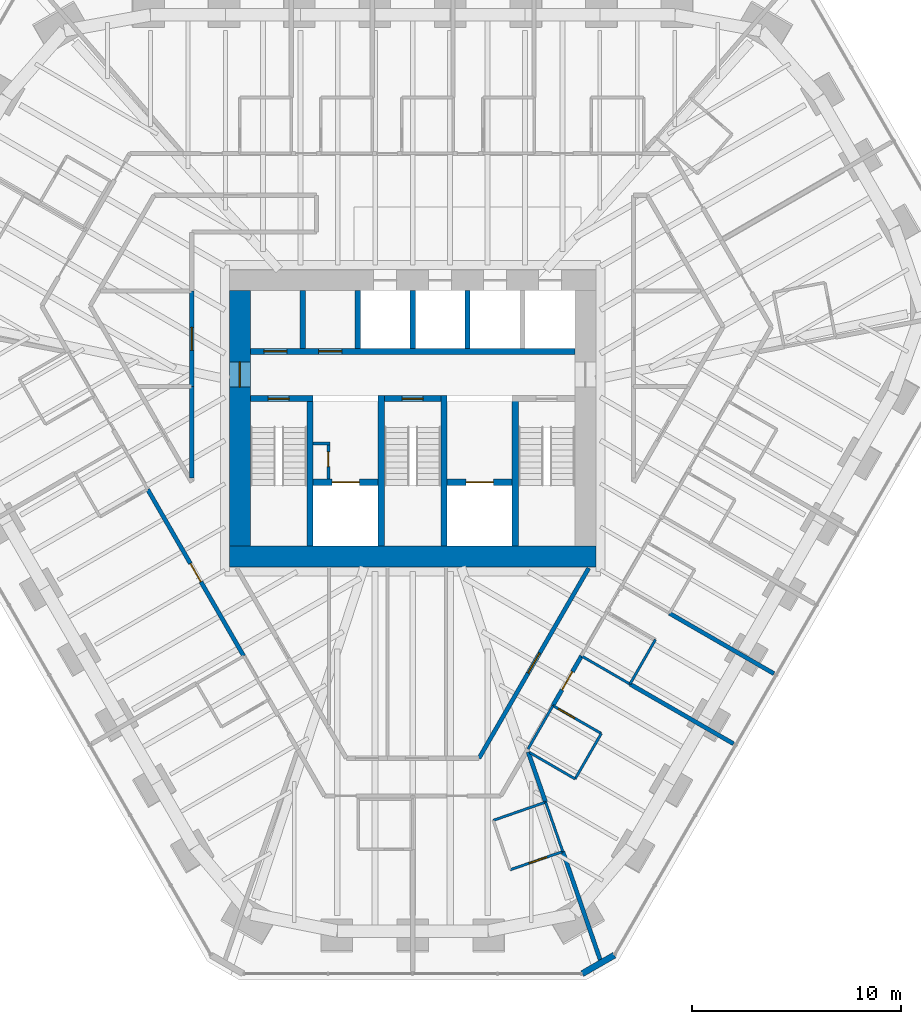
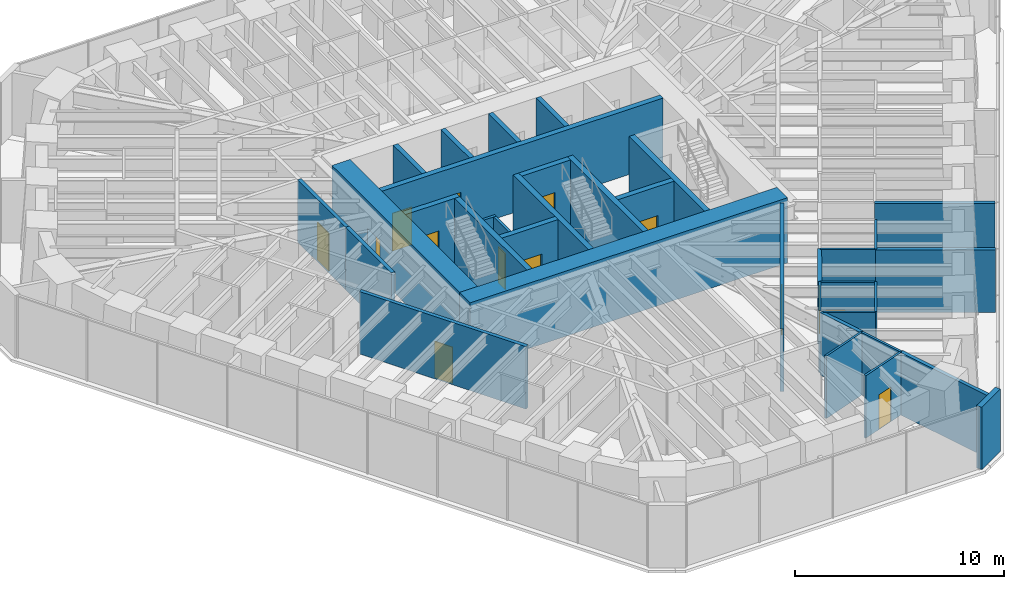
# One storey, part 12 of 17: 36 walls, 14 doors, 14 openings.
"""IFC4 building model written with IfcOpenShell, lengths in metres."""

from ifc_helpers import new_model, si_unit, direction, frame, frame_2d, origin, place, context, subcontext, project, spatial, rectangle, extrude, material, layer, layer_set, type_object, element, fill, save


model = new_model("IFC4")

# Units and contexts
model_context = context("Model", 3, precision=1e-05, world=origin(), true_north=direction((0.0, 1.0)))
body_context = subcontext(model_context, "Body", "Model", "MODEL_VIEW")
ifc_project = project(units=[si_unit("LENGTHUNIT", "METRE"), si_unit("AREAUNIT", "SQUARE_METRE"), si_unit("VOLUMEUNIT", "CUBIC_METRE"), si_unit("PLANEANGLEUNIT", "RADIAN"), si_unit("MASSUNIT", "GRAM", prefix="KILO")], contexts=[model_context])

# Site, building, storey
site_placement = place(None, origin())
site = spatial("IfcSite", under=ifc_project, at=site_placement, CompositionType="ELEMENT")
building_placement = place(site_placement, origin())
building = spatial("IfcBuilding", under=site, at=building_placement, Name="Sandreach Pilgrim Tower", CompositionType="ELEMENT")
storey_placement = place(building_placement, frame((0.0, 0.0, 240.199951171875)))
storey = spatial("IfcBuildingStorey", under=building, at=storey_placement, Name="L60", CompositionType="ELEMENT", Elevation=240.199951171875)

# Wall, opening, door
ifc_material_1 = material(Name="Moisture-resistant gypsum board on steel studs", Category="steel")
ifc_layer_1 = layer(ifc_material_1, 0.1201171875)
ifc_layer_set_1 = layer_set([ifc_layer_1], Name="Bathroom partition 120")
wall_type_1 = type_object("IfcWallType", Name="Bathroom partition 120", PredefinedType="PARTITIONING", material=ifc_layer_set_1)
wall_1_placement = place(storey_placement, frame((4.659912109375, -21.56005859375, 0.0), z_axis=(0.0, 0.0, 1.0), x_axis=(0.944838473769, 0.327536652126, 0.0)))
wall_1 = element("IfcWall", 1, at=wall_1_placement, inside=storey, type_object=wall_type_1, Name="Bathroom partition L60-087", PredefinedType="PARTITIONING", context=body_context, shape_type="SweptSolid", body=[
    extrude(rectangle(XDim=2.656494140625, YDim=0.1201171875, at=frame_2d((1.328125, 0.0))), origin(), (0.0, 0.0, 1.0), 3.64013671875),
])
opening_1_placement = place(wall_1_placement, frame((0.949951171875, 0.0, 0.0)))
opening_1 = element("IfcOpeningElement", 2, at=opening_1_placement, cuts=wall_1, Name="Opening D09-13B", PredefinedType="OPENING", context=body_context, shape_type="SweptSolid", body=[
    extrude(rectangle(XDim=0.89990234375, YDim=2.030029296875, at=frame_2d((0.449951171875, 1.01513671875))), frame((0.0, 0.06005859375, 0.0), z_axis=(0.0, -1.0, 0.0), x_axis=(1.0, 0.0, 0.0)), (0.0, 0.0, 1.0), 0.1201171875),
])
ifc_material_2 = material(Name="Timber door, steel frame", Category="steel")
door_type_1 = type_object("IfcDoorType", Name="Bathroom door", OperationType="SINGLE_SWING_LEFT", PredefinedType="DOOR", material=ifc_material_2)
door_1_placement = place(opening_1_placement, origin())
door_1 = element("IfcDoor", 3, at=door_1_placement, inside=storey, type_object=door_type_1, Name="Door 6013B", OperationType="SINGLE_SWING_RIGHT", OverallHeight=2.030029296875, OverallWidth=0.89990234375, PredefinedType="DOOR", context=body_context, shape_type="SweptSolid", body=[
    extrude(rectangle(XDim=0.89990234375, YDim=2.030029296875, at=frame_2d((0.449951171875, 1.01513671875))), frame((0.0, 0.02490234375, 0.0), z_axis=(0.0, -1.0, 0.0), x_axis=(1.0, 0.0, 0.0)), (0.0, 0.0, 1.0), 0.050048828125),
])
fill(opening_1, door_1)

# Walls
wall_2_placement = place(storey_placement, frame((5.510009765625, -15.7900390625, 0.0), z_axis=(0.0, 0.0, 1.0), x_axis=(0.49836161924, 0.866969259241, 0.0)))
element("IfcWall", 4, at=wall_2_placement, inside=storey, type_object=wall_type_1, Name="Bathroom partition L60-089", PredefinedType="PARTITIONING", context=body_context, shape_type="SweptSolid", body=[
    extrude(rectangle(XDim=2.3876953125, YDim=0.1201171875, at=frame_2d((1.19384765625, 0.0))), origin(), (0.0, 0.0, 1.0), 3.64013671875),
])
wall_3_placement = place(storey_placement, frame((5.593505859375, -15.962646484375, 0.0), z_axis=(0.0, 0.0, 1.0), x_axis=(0.864900876675, -0.501942699445, 0.0)))
element("IfcWall", 5, at=wall_3_placement, inside=storey, type_object=wall_type_1, Name="Bathroom partition L60-091", PredefinedType="PARTITIONING", context=body_context, shape_type="SweptSolid", body=[
    extrude(rectangle(XDim=2.5048828125, YDim=0.1201171875, at=frame_2d((1.25244140625, 0.0))), origin(), (0.0, 0.0, 1.0), 3.64013671875),
])
wall_4_placement = place(storey_placement, frame((6.35009765625, -18.330078125, 0.0), z_axis=(0.0, 0.0, 1.0), x_axis=(-0.944470666048, -0.328595740956, 0.0)))
element("IfcWall", 6, at=wall_4_placement, inside=storey, type_object=wall_type_1, Name="Bathroom partition L60-096", PredefinedType="PARTITIONING", context=body_context, shape_type="SweptSolid", body=[
    extrude(rectangle(XDim=2.647216796875, YDim=0.1201171875, at=frame_2d((1.32373046875, 0.0))), origin(), (0.0, 0.0, 1.0), 3.64013671875),
])
wall_5_placement = place(storey_placement, frame((6.35009765625, -18.330078125, 0.0), z_axis=(0.0, 0.0, 1.0), x_axis=(0.328164304993, -0.944620658745, 0.0)))
element("IfcWall", 7, at=wall_5_placement, inside=storey, type_object=wall_type_1, Name="Bathroom partition L60-097", PredefinedType="PARTITIONING", context=body_context, shape_type="SweptSolid", body=[
    extrude(rectangle(XDim=2.498291015625, YDim=0.1201171875, at=frame_2d((1.2490234375, 0.0))), origin(), (0.0, 0.0, 1.0), 3.64013671875),
])
wall_6_placement = place(storey_placement, frame((7.760009765625, -17.219970703125, 0.0), z_axis=(0.0, 0.0, 1.0), x_axis=(0.499159685399, 0.866510016372, 0.0)))
element("IfcWall", 8, at=wall_6_placement, inside=storey, type_object=wall_type_1, Name="Bathroom partition L60-099", PredefinedType="PARTITIONING", context=body_context, shape_type="SweptSolid", body=[
    extrude(rectangle(XDim=2.504150390625, YDim=0.1201171875, at=frame_2d((1.251953125, 0.0))), origin(), (0.0, 0.0, 1.0), 3.64013671875),
])
wall_7_placement = place(storey_placement, frame((8.070068359375, -11.35009765625, 0.0), z_axis=(0.0, 0.0, 1.0), x_axis=(0.865006586495, -0.501760505939, 0.0)))
element("IfcWall", 9, at=wall_7_placement, inside=storey, type_object=wall_type_1, Name="Bathroom partition L60-102", PredefinedType="PARTITIONING", context=body_context, shape_type="SweptSolid", body=[
    extrude(rectangle(XDim=2.670166015625, YDim=0.1201171875, at=frame_2d((1.3349609375, 0.0))), origin(), (0.0, 0.0, 1.0), 3.64013671875),
])

# Wall, opening, door
wall_8_placement = place(storey_placement, frame((9.010009765625, -15.050048828125, 0.0), z_axis=(0.0, 0.0, 1.0), x_axis=(-0.866615255992, 0.498976951453, 0.0)))
wall_8 = element("IfcWall", 10, at=wall_8_placement, inside=storey, type_object=wall_type_1, Name="Bathroom partition L60-106", PredefinedType="PARTITIONING", context=body_context, shape_type="SweptSolid", body=[
    extrude(rectangle(XDim=2.66552734375, YDim=0.1201171875, at=frame_2d((1.332763671875, 0.0))), origin(), (0.0, 0.0, 1.0), 3.64013671875),
])
opening_2_placement = place(wall_8_placement, frame((1.465576171875, 0.0, 0.0)))
opening_2 = element("IfcOpeningElement", 11, at=opening_2_placement, cuts=wall_8, Name="Opening D09-12B", PredefinedType="OPENING", context=body_context, shape_type="SweptSolid", body=[
    extrude(rectangle(XDim=0.89990234375, YDim=2.030029296875, at=frame_2d((0.449951171875, 1.01513671875))), frame((0.0, 0.06005859375, 0.0), z_axis=(0.0, -1.0, 0.0), x_axis=(1.0, 0.0, 0.0)), (0.0, 0.0, 1.0), 0.1201171875),
])
door_2_placement = place(opening_2_placement, origin())
door_2 = element("IfcDoor", 12, at=door_2_placement, inside=storey, type_object=door_type_1, Name="Door 6012B", OperationType="SINGLE_SWING_RIGHT", OverallHeight=2.030029296875, OverallWidth=0.89990234375, PredefinedType="DOOR", context=body_context, shape_type="SweptSolid", body=[
    extrude(rectangle(XDim=0.89990234375, YDim=2.030029296875, at=frame_2d((0.449951171875, 1.01513671875))), frame((0.0, 0.02490234375, 0.0), z_axis=(0.0, -1.0, 0.0), x_axis=(1.0, 0.0, 0.0)), (0.0, 0.0, 1.0), 0.050048828125),
])
fill(opening_2, door_2)

# Walls
wall_9_placement = place(storey_placement, frame((10.3798828125, -12.68994140625, 0.0), z_axis=(0.0, 0.0, 1.0), x_axis=(0.497102632485, 0.867691749861, 0.0)))
element("IfcWall", 13, at=wall_9_placement, inside=storey, type_object=wall_type_1, Name="Bathroom partition L60-110", PredefinedType="PARTITIONING", context=body_context, shape_type="SweptSolid", body=[
    extrude(rectangle(XDim=2.45458984375, YDim=0.1201171875, at=frame_2d((1.227294921875, 0.0))), origin(), (0.0, 0.0, 1.0), 3.64013671875),
])
ifc_material_3 = material(Name="Concrete 10000 psi", Category="concrete")
ifc_layer_2 = layer(ifc_material_3, 0.300048828125)
ifc_layer_set_2 = layer_set([ifc_layer_2], Name="Core inner wall 300")
wall_type_2 = type_object("IfcWallType", Name="Core inner wall 300", PredefinedType="SHEAR", material=ifc_layer_set_2)
for number, where, z_axis, x_axis, name in (
    (14, (-4.89990234375, -6.10009765625, 0.0), (0.0, 0.0, 1.0), (0.0, 1.0, 0.0), "Core wall I0 L60"),
    (15, (-1.5, -6.10009765625, 0.0), (0.0, 0.0, 1.0), (0.0, 1.0, 0.0), "Core wall I1 L60"),
    (16, (1.5, -6.10009765625, 0.0), (0.0, 0.0, 1.0), (0.0, 1.0, 0.0), "Core wall I2 L60"),
    (17, (4.89990234375, -6.10009765625, 0.0), (0.0, 0.0, 1.0), (0.0, 1.0, 0.0), "Core wall I3 L60"),
):
    element("IfcWall", number, at=place(storey_placement, frame(where, z_axis=z_axis, x_axis=x_axis)), inside=storey, type_object=wall_type_2, Name=name, PredefinedType="SHEAR", context=body_context, shape_type="SweptSolid", body=[
        extrude(rectangle(XDim=7.2001953125, YDim=0.300048828125, at=frame_2d((3.60009765625, 0.0))), origin(), (0.0, 0.0, 1.0), 3.800048828125),
    ])

# Wall, opening, door
wall_10_placement = place(storey_placement, frame((-7.75, 0.949951171875, 0.0), z_axis=(0.0, 0.0, 1.0), x_axis=(1.0, 0.0, 0.0)))
wall_10 = element("IfcWall", 18, at=wall_10_placement, inside=storey, type_object=wall_type_2, Name="Core wall SN1 L60", PredefinedType="SHEAR", context=body_context, shape_type="SweptSolid", body=[
    extrude(rectangle(XDim=3.0, YDim=0.300048828125, at=frame_2d((1.5, 0.0))), origin(), (0.0, 0.0, 1.0), 3.800048828125),
])
opening_3_placement = place(wall_10_placement, frame((0.85009765625, 0.0, 0.0)))
opening_3 = element("IfcOpeningElement", 19, at=opening_3_placement, cuts=wall_10, Name="Opening D10S-ST1", PredefinedType="OPENING", context=body_context, shape_type="SweptSolid", body=[
    extrude(rectangle(XDim=1.0, YDim=2.199951171875, at=frame_2d((0.5, 1.10009765625))), frame((0.0, 0.14990234375, 0.0), z_axis=(0.0, -1.0, 0.0), x_axis=(1.0, 0.0, 0.0)), (0.0, 0.0, 1.0), 0.300048828125),
])
ifc_material_4 = material(Name="Steel door and frame", Category="steel")
door_type_2 = type_object("IfcDoorType", Name="Stair door", OperationType="SINGLE_SWING_LEFT", PredefinedType="DOOR", material=ifc_material_4)
door_3_placement = place(opening_3_placement, origin())
door_3 = element("IfcDoor", 20, at=door_3_placement, inside=storey, type_object=door_type_2, Name="Stair door ST1 L60", OperationType="SINGLE_SWING_LEFT", OverallHeight=2.199951171875, OverallWidth=1.0, PredefinedType="DOOR", context=body_context, shape_type="SweptSolid", body=[
    extrude(rectangle(XDim=1.0, YDim=2.199951171875, at=frame_2d((0.5, 1.10009765625))), frame((0.0, 0.02490234375, 0.0), z_axis=(0.0, -1.0, 0.0), x_axis=(1.0, 0.0, 0.0)), (0.0, 0.0, 1.0), 0.050048828125),
])
fill(opening_3, door_3)

wall_11_placement = place(storey_placement, frame((-1.35009765625, 0.949951171875, 0.0), z_axis=(0.0, 0.0, 1.0), x_axis=(1.0, 0.0, 0.0)))
wall_11 = element("IfcWall", 21, at=wall_11_placement, inside=storey, type_object=wall_type_2, Name="Core wall SN3 L60", PredefinedType="SHEAR", context=body_context, shape_type="SweptSolid", body=[
    extrude(rectangle(XDim=2.7001953125, YDim=0.300048828125, at=frame_2d((1.35009765625, 0.0))), origin(), (0.0, 0.0, 1.0), 3.800048828125),
])
opening_4_placement = place(wall_11_placement, frame((0.85009765625, 0.0, 0.0)))
opening_4 = element("IfcOpeningElement", 22, at=opening_4_placement, cuts=wall_11, Name="Opening D10S-ST3", PredefinedType="OPENING", context=body_context, shape_type="SweptSolid", body=[
    extrude(rectangle(XDim=1.0, YDim=2.199951171875, at=frame_2d((0.5, 1.10009765625))), frame((0.0, 0.14990234375, 0.0), z_axis=(0.0, -1.0, 0.0), x_axis=(1.0, 0.0, 0.0)), (0.0, 0.0, 1.0), 0.300048828125),
])
door_4_placement = place(opening_4_placement, origin())
door_4 = element("IfcDoor", 23, at=door_4_placement, inside=storey, type_object=door_type_2, Name="Stair door ST3 L60", OperationType="SINGLE_SWING_LEFT", OverallHeight=2.199951171875, OverallWidth=1.0, PredefinedType="DOOR", context=body_context, shape_type="SweptSolid", body=[
    extrude(rectangle(XDim=1.0, YDim=2.199951171875, at=frame_2d((0.5, 1.10009765625))), frame((0.0, 0.02490234375, 0.0), z_axis=(0.0, -1.0, 0.0), x_axis=(1.0, 0.0, 0.0)), (0.0, 0.0, 1.0), 0.050048828125),
])
fill(opening_4, door_4)

wall_12_placement = place(storey_placement, frame((-4.75, -3.050048828125, 0.0), z_axis=(0.0, 0.0, 1.0), x_axis=(1.0, 0.0, 0.0)))
wall_12 = element("IfcWall", 24, at=wall_12_placement, inside=storey, type_object=wall_type_2, Name="Core wall FL1 L60", PredefinedType="SHEAR", context=body_context, shape_type="SweptSolid", body=[
    extrude(rectangle(XDim=3.10009765625, YDim=0.300048828125, at=frame_2d((1.550048828125, 0.0))), origin(), (0.0, 0.0, 1.0), 3.800048828125),
])
opening_5_placement = place(wall_12_placement, frame((0.89990234375, 0.0, 0.0)))
opening_5 = element("IfcOpeningElement", 25, at=opening_5_placement, cuts=wall_12, Name="Opening LD13", PredefinedType="OPENING", context=body_context, shape_type="SweptSolid", body=[
    extrude(rectangle(XDim=1.300048828125, YDim=2.10009765625, at=frame_2d((0.64990234375, 1.050048828125))), frame((0.0, 0.14990234375, 0.0), z_axis=(0.0, -1.0, 0.0), x_axis=(1.0, 0.0, 0.0)), (0.0, 0.0, 1.0), 0.300048828125),
])
ifc_material_5 = material(Name="Steel door and frame", Category="steel")
door_type_3 = type_object("IfcDoorType", Name="Fire service lift landing door", OperationType="DOUBLE_DOOR_SLIDING", PredefinedType="DOOR", material=ifc_material_5)
door_5_placement = place(opening_5_placement, origin())
door_5 = element("IfcDoor", 26, at=door_5_placement, inside=storey, type_object=door_type_3, Name="Lift landing door FS1 L60", OperationType="DOUBLE_DOOR_SLIDING", OverallHeight=2.10009765625, OverallWidth=1.300048828125, PredefinedType="DOOR", context=body_context, shape_type="SweptSolid", body=[
    extrude(rectangle(XDim=1.300048828125, YDim=2.10009765625, at=frame_2d((0.64990234375, 1.050048828125))), frame((0.0, 0.02490234375, 0.0), z_axis=(0.0, -1.0, 0.0), x_axis=(1.0, 0.0, 0.0)), (0.0, 0.0, 1.0), 0.050048828125),
])
fill(opening_5, door_5)

wall_13_placement = place(storey_placement, frame((1.64990234375, -3.050048828125, 0.0), z_axis=(0.0, 0.0, 1.0), x_axis=(1.0, 0.0, 0.0)))
wall_13 = element("IfcWall", 27, at=wall_13_placement, inside=storey, type_object=wall_type_2, Name="Core wall FL2 L60", PredefinedType="SHEAR", context=body_context, shape_type="SweptSolid", body=[
    extrude(rectangle(XDim=3.10009765625, YDim=0.300048828125, at=frame_2d((1.550048828125, 0.0))), origin(), (0.0, 0.0, 1.0), 3.800048828125),
])
opening_6_placement = place(wall_13_placement, frame((0.89990234375, 0.0, 0.0)))
opening_6 = element("IfcOpeningElement", 28, at=opening_6_placement, cuts=wall_13, Name="Opening LD13", PredefinedType="OPENING", context=body_context, shape_type="SweptSolid", body=[
    extrude(rectangle(XDim=1.300048828125, YDim=2.10009765625, at=frame_2d((0.64990234375, 1.050048828125))), frame((0.0, 0.14990234375, 0.0), z_axis=(0.0, -1.0, 0.0), x_axis=(1.0, 0.0, 0.0)), (0.0, 0.0, 1.0), 0.300048828125),
])
door_6_placement = place(opening_6_placement, origin())
door_6 = element("IfcDoor", 29, at=door_6_placement, inside=storey, type_object=door_type_3, Name="Lift landing door FS2 L60", OperationType="DOUBLE_DOOR_SLIDING", OverallHeight=2.10009765625, OverallWidth=1.300048828125, PredefinedType="DOOR", context=body_context, shape_type="SweptSolid", body=[
    extrude(rectangle(XDim=1.300048828125, YDim=2.10009765625, at=frame_2d((0.64990234375, 1.050048828125))), frame((0.0, 0.02490234375, 0.0), z_axis=(0.0, -1.0, 0.0), x_axis=(1.0, 0.0, 0.0)), (0.0, 0.0, 1.0), 0.050048828125),
])
fill(opening_6, door_6)

# Wall, openings, doors
wall_14_placement = place(storey_placement, frame((-7.75, 3.199951171875, 0.0), z_axis=(0.0, 0.0, 1.0), x_axis=(1.0, 0.0, 0.0)))
wall_14 = element("IfcWall", 30, at=wall_14_placement, inside=storey, type_object=wall_type_2, Name="Core wall PN L60", PredefinedType="SHEAR", context=body_context, shape_type="SweptSolid", body=[
    extrude(rectangle(XDim=15.5, YDim=0.300048828125, at=frame_2d((7.75, 0.0))), origin(), (0.0, 0.0, 1.0), 3.800048828125),
])
opening_7_placement = place(wall_14_placement, frame((0.637451171875, 0.0, 0.0)))
opening_7 = element("IfcOpeningElement", 31, at=opening_7_placement, cuts=wall_14, Name="Opening D11L", PredefinedType="OPENING", context=body_context, shape_type="SweptSolid", body=[
    extrude(rectangle(XDim=1.10009765625, YDim=2.199951171875, at=frame_2d((0.550048828125, 1.10009765625))), frame((0.0, 0.14990234375, 0.0), z_axis=(0.0, -1.0, 0.0), x_axis=(1.0, 0.0, 0.0)), (0.0, 0.0, 1.0), 0.300048828125),
])
opening_8_placement = place(wall_14_placement, frame((3.262451171875, 0.0, 0.0)))
opening_8 = element("IfcOpeningElement", 32, at=opening_8_placement, cuts=wall_14, Name="Opening D11L", PredefinedType="OPENING", context=body_context, shape_type="SweptSolid", body=[
    extrude(rectangle(XDim=1.10009765625, YDim=2.199951171875, at=frame_2d((0.550048828125, 1.10009765625))), frame((0.0, 0.14990234375, 0.0), z_axis=(0.0, -1.0, 0.0), x_axis=(1.0, 0.0, 0.0)), (0.0, 0.0, 1.0), 0.300048828125),
])
ifc_material_6 = material(Name="Steel door and frame, smoke seals", Category="steel")
door_type_4 = type_object("IfcDoorType", Name="Core room door", OperationType="SINGLE_SWING_LEFT", PredefinedType="DOOR", material=ifc_material_6)
door_7_placement = place(opening_7_placement, origin())
door_7 = element("IfcDoor", 33, at=door_7_placement, inside=storey, type_object=door_type_4, Name="Door guest pantry 60K1", OperationType="SINGLE_SWING_LEFT", OverallHeight=2.199951171875, OverallWidth=1.10009765625, PredefinedType="DOOR", context=body_context, shape_type="SweptSolid", body=[
    extrude(rectangle(XDim=1.10009765625, YDim=2.199951171875, at=frame_2d((0.550048828125, 1.10009765625))), frame((0.0, 0.02490234375, 0.0), z_axis=(0.0, -1.0, 0.0), x_axis=(1.0, 0.0, 0.0)), (0.0, 0.0, 1.0), 0.050048828125),
])
fill(opening_7, door_7)
door_8_placement = place(opening_8_placement, origin())
door_8 = element("IfcDoor", 34, at=door_8_placement, inside=storey, type_object=door_type_4, Name="Door it room 60K2", OperationType="SINGLE_SWING_LEFT", OverallHeight=2.199951171875, OverallWidth=1.10009765625, PredefinedType="DOOR", context=body_context, shape_type="SweptSolid", body=[
    extrude(rectangle(XDim=1.10009765625, YDim=2.199951171875, at=frame_2d((0.550048828125, 1.10009765625))), frame((0.0, 0.02490234375, 0.0), z_axis=(0.0, -1.0, 0.0), x_axis=(1.0, 0.0, 0.0)), (0.0, 0.0, 1.0), 0.050048828125),
])
fill(opening_8, door_8)

# Wall
ifc_material_7 = material(Name="Concrete 10000 psi", Category="concrete")
ifc_layer_3 = layer(ifc_material_7, 1.0)
ifc_layer_set_3 = layer_set([ifc_layer_3], Name="Core wall 1000")
wall_type_3 = type_object("IfcWallType", Name="Core wall 1000", PredefinedType="SHEAR", material=ifc_layer_set_3)
wall_15_placement = place(storey_placement, frame((-8.75, -6.60009765625, 0.0), z_axis=(0.0, 0.0, 1.0), x_axis=(1.0, 0.0, 0.0)))
element("IfcWall", 35, at=wall_15_placement, inside=storey, type_object=wall_type_3, Name="Core wall S L60", PredefinedType="SHEAR", context=body_context, shape_type="SweptSolid", body=[
    extrude(rectangle(XDim=17.5, YDim=1.0, at=frame_2d((8.75, 0.0))), origin(), (0.0, 0.0, 1.0), 3.800048828125),
])

# Wall, opening, door
wall_16_placement = place(storey_placement, frame((-8.25, -6.10009765625, 0.0), z_axis=(0.0, 0.0, 1.0), x_axis=(0.0, 1.0, 0.0)))
wall_16 = element("IfcWall", 36, at=wall_16_placement, inside=storey, type_object=wall_type_3, Name="Core wall W L60", PredefinedType="SHEAR", context=body_context, shape_type="SweptSolid", body=[
    extrude(rectangle(XDim=12.2001953125, YDim=1.0, at=frame_2d((6.10009765625, 0.0))), origin(), (0.0, 0.0, 1.0), 3.800048828125),
])
opening_9_placement = place(wall_16_placement, frame((7.60009765625, 0.0, 0.0)))
opening_9 = element("IfcOpeningElement", 37, at=opening_9_placement, cuts=wall_16, Name="Opening D12F-W", PredefinedType="OPENING", context=body_context, shape_type="SweptSolid", body=[
    extrude(rectangle(XDim=1.199951171875, YDim=2.199951171875, at=frame_2d((0.60009765625, 1.10009765625))), frame((0.0, 0.5, 0.0), z_axis=(0.0, -1.0, 0.0), x_axis=(1.0, 0.0, 0.0)), (0.0, 0.0, 1.0), 1.0),
])
ifc_material_8 = material(Name="Steel door and frame", Category="steel")
door_type_5 = type_object("IfcDoorType", Name="Fire lobby door", OperationType="SINGLE_SWING_LEFT", PredefinedType="DOOR", material=ifc_material_8)
door_9_placement = place(opening_9_placement, origin())
door_9 = element("IfcDoor", 38, at=door_9_placement, inside=storey, type_object=door_type_5, Name="Fire service lobby door W L60", OperationType="SINGLE_SWING_RIGHT", OverallHeight=2.199951171875, OverallWidth=1.199951171875, PredefinedType="DOOR", context=body_context, shape_type="SweptSolid", body=[
    extrude(rectangle(XDim=1.199951171875, YDim=2.199951171875, at=frame_2d((0.60009765625, 1.10009765625))), frame((0.0, 0.02490234375, 0.0), z_axis=(0.0, -1.0, 0.0), x_axis=(1.0, 0.0, 0.0)), (0.0, 0.0, 1.0), 0.050048828125),
])
fill(opening_9, door_9)

ifc_material_9 = material(Name="Gypsum board on steel studs, two layers each side", Category="steel")
ifc_layer_4 = layer(ifc_material_9, 0.199951171875)
ifc_layer_set_4 = layer_set([ifc_layer_4], Name="Corridor wall 200")
wall_type_4 = type_object("IfcWallType", Name="Corridor wall 200", PredefinedType="PARTITIONING", material=ifc_layer_set_4)
wall_17_placement = place(storey_placement, frame((-12.659912109375, -3.389892578125, 0.0), z_axis=(0.0, 0.0, 1.0), x_axis=(0.499511590934, -0.866307203319, 0.0)))
wall_17 = element("IfcWall", 39, at=wall_17_placement, inside=storey, type_object=wall_type_4, Name="Corridor wall L60-032", PredefinedType="PARTITIONING", context=body_context, shape_type="SweptSolid", body=[
    extrude(rectangle(XDim=9.188720703125, YDim=0.199951171875, at=frame_2d((4.59423828125, 0.0))), origin(), (0.0, 0.0, 1.0), 3.64013671875),
])
opening_10_placement = place(wall_17_placement, frame((4.09423828125, 0.0, 0.0)))
opening_10 = element("IfcOpeningElement", 40, at=opening_10_placement, cuts=wall_17, Name="Opening D10-16", PredefinedType="OPENING", context=body_context, shape_type="SweptSolid", body=[
    extrude(rectangle(XDim=1.0, YDim=2.1298828125, at=frame_2d((0.5, 1.06494140625))), frame((0.0, 0.10009765625, 0.0), z_axis=(0.0, -1.0, 0.0), x_axis=(1.0, 0.0, 0.0)), (0.0, 0.0, 1.0), 0.199951171875),
])
ifc_material_10 = material(Name="Steel door and frame", Category="steel")
door_type_6 = type_object("IfcDoorType", Name="Guest room entry door", OperationType="SINGLE_SWING_LEFT", PredefinedType="DOOR", material=ifc_material_10)
door_10_placement = place(opening_10_placement, origin())
door_10 = element("IfcDoor", 41, at=door_10_placement, inside=storey, type_object=door_type_6, Name="Door 6016", OperationType="SINGLE_SWING_LEFT", OverallHeight=2.1298828125, OverallWidth=1.0, PredefinedType="DOOR", context=body_context, shape_type="SweptSolid", body=[
    extrude(rectangle(XDim=1.0, YDim=2.1298828125, at=frame_2d((0.5, 1.06494140625))), frame((0.0, 0.02490234375, 0.0), z_axis=(0.0, -1.0, 0.0), x_axis=(1.0, 0.0, 0.0)), (0.0, 0.0, 1.0), 0.050048828125),
])
fill(opening_10, door_10)

# Wall
wall_18_placement = place(storey_placement, frame((-10.550048828125, 1.52001953125, 0.0), z_axis=(0.0, 0.0, 1.0), x_axis=(0.0, -1.0, 0.0)))
element("IfcWall", 42, at=wall_18_placement, inside=storey, type_object=wall_type_4, Name="Corridor wall L60-038", PredefinedType="PARTITIONING", context=body_context, shape_type="SweptSolid", body=[
    extrude(rectangle(XDim=4.375, YDim=0.199951171875, at=frame_2d((2.1875, 0.0))), origin(), (0.0, 0.0, 1.0), 3.64013671875),
])

# Wall, opening, door
wall_19_placement = place(storey_placement, frame((-10.550048828125, 6.090087890625, 0.0), z_axis=(0.0, 0.0, 1.0), x_axis=(0.0, -1.0, 0.0)))
wall_19 = element("IfcWall", 43, at=wall_19_placement, inside=storey, type_object=wall_type_4, Name="Corridor wall L60-039", PredefinedType="PARTITIONING", context=body_context, shape_type="SweptSolid", body=[
    extrude(rectangle(XDim=4.570068359375, YDim=0.199951171875, at=frame_2d((2.28515625, 0.0))), origin(), (0.0, 0.0, 1.0), 3.64013671875),
])
opening_11_placement = place(wall_19_placement, frame((1.735107421875, 0.0, 0.0)))
opening_11 = element("IfcOpeningElement", 44, at=opening_11_placement, cuts=wall_19, Name="Opening D11H-M01", PredefinedType="OPENING", context=body_context, shape_type="SweptSolid", body=[
    extrude(rectangle(XDim=1.10009765625, YDim=2.199951171875, at=frame_2d((0.550048828125, 1.10009765625))), frame((0.0, 0.10009765625, 0.0), z_axis=(0.0, -1.0, 0.0), x_axis=(1.0, 0.0, 0.0)), (0.0, 0.0, 1.0), 0.199951171875),
])
ifc_material_11 = material(Name="Steel door and frame", Category="steel")
door_type_7 = type_object("IfcDoorType", Name="Back of house door", OperationType="SINGLE_SWING_LEFT", PredefinedType="DOOR", material=ifc_material_11)
door_11_placement = place(opening_11_placement, origin())
door_11 = element("IfcDoor", 45, at=door_11_placement, inside=storey, type_object=door_type_7, Name="Door 60M01", OperationType="SINGLE_SWING_LEFT", OverallHeight=2.199951171875, OverallWidth=1.10009765625, PredefinedType="DOOR", context=body_context, shape_type="SweptSolid", body=[
    extrude(rectangle(XDim=1.10009765625, YDim=2.199951171875, at=frame_2d((0.550048828125, 1.10009765625))), frame((0.0, 0.02490234375, 0.0), z_axis=(0.0, -1.0, 0.0), x_axis=(1.0, 0.0, 0.0)), (0.0, 0.0, 1.0), 0.050048828125),
])
fill(opening_11, door_11)

wall_20_placement = place(storey_placement, frame((8.065185546875, -11.34716796875, 0.0), z_axis=(0.0, 0.0, 1.0), x_axis=(-0.499611785355, -0.866249423627, 0.0)))
wall_20 = element("IfcWall", 46, at=wall_20_placement, inside=storey, type_object=wall_type_4, Name="Corridor wall L60-100", PredefinedType="PARTITIONING", context=body_context, shape_type="SweptSolid", body=[
    extrude(rectangle(XDim=2.737548828125, YDim=0.199951171875, at=frame_2d((1.36865234375, 0.0))), origin(), (0.0, 0.0, 1.0), 3.64013671875),
])
opening_12_placement = place(wall_20_placement, frame((0.868896484375, 0.0, 0.0)))
opening_12 = element("IfcOpeningElement", 47, at=opening_12_placement, cuts=wall_20, Name="Opening D10-12", PredefinedType="OPENING", context=body_context, shape_type="SweptSolid", body=[
    extrude(rectangle(XDim=1.0, YDim=2.1298828125, at=frame_2d((0.5, 1.06494140625))), frame((0.0, 0.10009765625, 0.0), z_axis=(0.0, -1.0, 0.0), x_axis=(1.0, 0.0, 0.0)), (0.0, 0.0, 1.0), 0.199951171875),
])
door_12_placement = place(opening_12_placement, origin())
door_12 = element("IfcDoor", 48, at=door_12_placement, inside=storey, type_object=door_type_6, Name="Door 6012", OperationType="SINGLE_SWING_LEFT", OverallHeight=2.1298828125, OverallWidth=1.0, PredefinedType="DOOR", context=body_context, shape_type="SweptSolid", body=[
    extrude(rectangle(XDim=1.0, YDim=2.1298828125, at=frame_2d((0.5, 1.06494140625))), frame((0.0, 0.02490234375, 0.0), z_axis=(0.0, -1.0, 0.0), x_axis=(1.0, 0.0, 0.0)), (0.0, 0.0, 1.0), 0.050048828125),
])
fill(opening_12, door_12)

wall_21_placement = place(storey_placement, frame((8.409912109375, -7.14990234375, 0.0), z_axis=(0.0, 0.0, 1.0), x_axis=(-0.499828628176, -0.866124322748, 0.0)))
wall_21 = element("IfcWall", 49, at=wall_21_placement, inside=storey, type_object=wall_type_4, Name="Corridor wall L60-103", PredefinedType="PARTITIONING", context=body_context, shape_type="SweptSolid", body=[
    extrude(rectangle(XDim=10.483642578125, YDim=0.199951171875, at=frame_2d((5.24169921875, 0.0))), origin(), (0.0, 0.0, 1.0), 3.64013671875),
])
opening_13_placement = place(wall_21_placement, frame((4.691650390625, 0.0, 0.0)))
opening_13 = element("IfcOpeningElement", 50, at=opening_13_placement, cuts=wall_21, Name="Opening D11H-S4", PredefinedType="OPENING", context=body_context, shape_type="SweptSolid", body=[
    extrude(rectangle(XDim=1.10009765625, YDim=2.199951171875, at=frame_2d((0.550048828125, 1.10009765625))), frame((0.0, 0.10009765625, 0.0), z_axis=(0.0, -1.0, 0.0), x_axis=(1.0, 0.0, 0.0)), (0.0, 0.0, 1.0), 0.199951171875),
])
door_13_placement = place(opening_13_placement, origin())
door_13 = element("IfcDoor", 51, at=door_13_placement, inside=storey, type_object=door_type_7, Name="Door 60S4", OperationType="SINGLE_SWING_LEFT", OverallHeight=2.199951171875, OverallWidth=1.10009765625, PredefinedType="DOOR", context=body_context, shape_type="SweptSolid", body=[
    extrude(rectangle(XDim=1.10009765625, YDim=2.199951171875, at=frame_2d((0.550048828125, 1.10009765625))), frame((0.0, 0.02490234375, 0.0), z_axis=(0.0, -1.0, 0.0), x_axis=(1.0, 0.0, 0.0)), (0.0, 0.0, 1.0), 0.050048828125),
])
fill(opening_13, door_13)

# Walls
ifc_material_12 = material(Name="Double steel stud acoustic wall, gypsum board", Category="steel")
ifc_layer_5 = layer(ifc_material_12, 0.199951171875)
ifc_layer_set_5 = layer_set([ifc_layer_5], Name="Party wall 200")
wall_type_5 = type_object("IfcWallType", Name="Party wall 200", PredefinedType="PARTITIONING", material=ifc_layer_set_5)
wall_22_placement = place(storey_placement, frame((5.51708984375, -15.936767578125, 0.0), z_axis=(0.0, 0.0, 1.0), x_axis=(0.328714924291, -0.944429191919, 0.0)))
element("IfcWall", 52, at=wall_22_placement, inside=storey, type_object=wall_type_5, Name="Party wall L60-090", PredefinedType="PARTITIONING", context=body_context, shape_type="SweptSolid", body=[
    extrude(rectangle(XDim=2.5341796875, YDim=0.199951171875, at=frame_2d((1.26708984375, 0.0))), origin(), (0.0, 0.0, 1.0), 3.64013671875),
])
wall_23_placement = place(storey_placement, frame((7.169921875, -20.68994140625, 0.0), z_axis=(0.0, 0.0, 1.0), x_axis=(0.326821657676, -0.945086029985, 0.0)))
element("IfcWall", 53, at=wall_23_placement, inside=storey, type_object=wall_type_5, Name="Party wall L60-098", PredefinedType="PARTITIONING", context=body_context, shape_type="SweptSolid", body=[
    extrude(rectangle(XDim=5.631103515625, YDim=0.199951171875, at=frame_2d((2.8154296875, 0.0))), origin(), (0.0, 0.0, 1.0), 3.64013671875),
])
wall_24_placement = place(storey_placement, frame((10.3798828125, -12.68994140625, 0.0), z_axis=(0.0, 0.0, 1.0), x_axis=(0.866442508333, -0.499276856818, 0.0)))
element("IfcWall", 54, at=wall_24_placement, inside=storey, type_object=wall_type_5, Name="Party wall L60-111", PredefinedType="PARTITIONING", context=body_context, shape_type="SweptSolid", body=[
    extrude(rectangle(XDim=5.70849609375, YDim=0.199951171875, at=frame_2d((2.854248046875, 0.0))), origin(), (0.0, 0.0, 1.0), 3.64013671875),
])
wall_25_placement = place(storey_placement, frame((12.269775390625, -9.310546875, 0.0), z_axis=(0.0, 0.0, 1.0), x_axis=(0.865985044037, -0.500069898618, 0.0)))
element("IfcWall", 55, at=wall_25_placement, inside=storey, type_object=wall_type_5, Name="Party wall L60-130", PredefinedType="PARTITIONING", context=body_context, shape_type="SweptSolid", body=[
    extrude(rectangle(XDim=5.758056640625, YDim=0.199951171875, at=frame_2d((2.87890625, 0.0))), origin(), (0.0, 0.0, 1.0), 3.64013671875),
])

# Wall, opening, door
ifc_material_13 = material(Name="Gypsum shaft wall on steel studs, shaft liner board", Category="steel")
ifc_layer_6 = layer(ifc_material_13, 0.14990234375)
ifc_layer_set_6 = layer_set([ifc_layer_6], Name="Riser shaft wall 150")
wall_type_6 = type_object("IfcWallType", Name="Riser shaft wall 150", PredefinedType="PARTITIONING", material=ifc_layer_set_6)
wall_26_placement = place(storey_placement, frame((-4.02490234375, -2.89990234375, 0.0), z_axis=(0.0, 0.0, 1.0), x_axis=(0.0, 1.0, 0.0)))
wall_26 = element("IfcWall", 56, at=wall_26_placement, inside=storey, type_object=wall_type_6, Name="Riser partition L60 side", PredefinedType="PARTITIONING", context=body_context, shape_type="SweptSolid", body=[
    extrude(rectangle(XDim=1.77490234375, YDim=0.14990234375, at=frame_2d((0.887451171875, 0.0))), origin(), (0.0, 0.0, 1.0), 3.64013671875),
])
opening_14_placement = place(wall_26_placement, frame((0.60009765625, 0.0, 0.0)))
opening_14 = element("IfcOpeningElement", 57, at=opening_14_placement, cuts=wall_26, Name="Opening D07R", PredefinedType="OPENING", context=body_context, shape_type="SweptSolid", body=[
    extrude(rectangle(XDim=0.699951171875, YDim=2.10009765625, at=frame_2d((0.35009765625, 1.050048828125))), frame((0.0, 0.074951171875, 0.0), z_axis=(0.0, -1.0, 0.0), x_axis=(1.0, 0.0, 0.0)), (0.0, 0.0, 1.0), 0.14990234375),
])
ifc_material_14 = material(Name="Steel door and frame, smoke seals", Category="steel")
door_type_8 = type_object("IfcDoorType", Name="Riser access door", OperationType="SINGLE_SWING_RIGHT", PredefinedType="DOOR", material=ifc_material_14)
door_14_placement = place(opening_14_placement, origin())
door_14 = element("IfcDoor", 58, at=door_14_placement, inside=storey, type_object=door_type_8, Name="Door riser 60ER", OperationType="SINGLE_SWING_RIGHT", OverallHeight=2.10009765625, OverallWidth=0.699951171875, PredefinedType="DOOR", context=body_context, shape_type="SweptSolid", body=[
    extrude(rectangle(XDim=0.699951171875, YDim=2.10009765625, at=frame_2d((0.35009765625, 1.050048828125))), frame((0.0, 0.02490234375, 0.0), z_axis=(0.0, -1.0, 0.0), x_axis=(1.0, 0.0, 0.0)), (0.0, 0.0, 1.0), 0.050048828125),
])
fill(opening_14, door_14)

# Walls
wall_27_placement = place(storey_placement, frame((-4.75, -1.199951171875, 0.0), z_axis=(0.0, 0.0, 1.0), x_axis=(1.0, 0.0, 0.0)))
element("IfcWall", 59, at=wall_27_placement, inside=storey, type_object=wall_type_6, Name="Riser partition L60 front", PredefinedType="PARTITIONING", context=body_context, shape_type="SweptSolid", body=[
    extrude(rectangle(XDim=0.800048828125, YDim=0.14990234375, at=frame_2d((0.39990234375, 0.0))), origin(), (0.0, 0.0, 1.0), 3.64013671875),
])
ifc_material_15 = material(Name="Gypsum shaft wall on steel studs, two layers of shaft liner board", Category="steel")
ifc_layer_7 = layer(ifc_material_15, 0.25)
ifc_layer_set_7 = layer_set([ifc_layer_7], Name="Shaft partition 250")
wall_type_7 = type_object("IfcWallType", Name="Shaft partition 250", PredefinedType="PARTITIONING", material=ifc_layer_set_7)
for number, where, z_axis, x_axis, name in (
    (60, (-5.25, 3.35009765625, 0.0), (0.0, 0.0, 1.0), (0.0, 1.0, 0.0), "Shaft partition NS0 L60"),
    (61, (-2.625, 3.35009765625, 0.0), (0.0, 0.0, 1.0), (0.0, 1.0, 0.0), "Shaft partition NS1 L60"),
    (62, (0.0, 3.35009765625, 0.0), (0.0, 0.0, 1.0), (0.0, 1.0, 0.0), "Shaft partition NS2 L60"),
    (63, (2.625, 3.35009765625, 0.0), (0.0, 0.0, 1.0), (0.0, 1.0, 0.0), "Shaft partition NS3 L60"),
):
    element("IfcWall", number, at=place(storey_placement, frame(where, z_axis=z_axis, x_axis=x_axis)), inside=storey, type_object=wall_type_7, Name=name, PredefinedType="PARTITIONING", context=body_context, shape_type="SweptSolid", body=[
        extrude(rectangle(XDim=2.75, YDim=0.25, at=frame_2d((1.375, 0.0))), origin(), (0.0, 0.0, 1.0), 3.800048828125),
    ])
ifc_material_16 = material(Name="Terracotta rainscreen on concrete", Category="masonry")
ifc_layer_8 = layer(ifc_material_16, 0.300048828125)
ifc_layer_set_8 = layer_set([ifc_layer_8], Name="Terracotta chamfer pier")
wall_type_8 = type_object("IfcWallType", Name="Terracotta chamfer pier", PredefinedType="SOLIDWALL", material=ifc_layer_set_8)
wall_28_placement = place(storey_placement, frame((9.63037109375, -25.64013671875, 0.0), z_axis=(0.0, 0.0, 1.0), x_axis=(-0.866036293601, -0.499981137809, 0.0)))
element("IfcWall", 64, at=wall_28_placement, inside=storey, type_object=wall_type_8, Name="Chamfer pier L60 SE", PredefinedType="SOLIDWALL", context=body_context, shape_type="SweptSolid", body=[
    extrude(rectangle(XDim=1.77001953125, YDim=0.300048828125, at=frame_2d((0.885009765625, 0.0))), origin(), (0.0, 0.0, 1.0), 3.64013671875),
])

save(model, "model.ifc")
